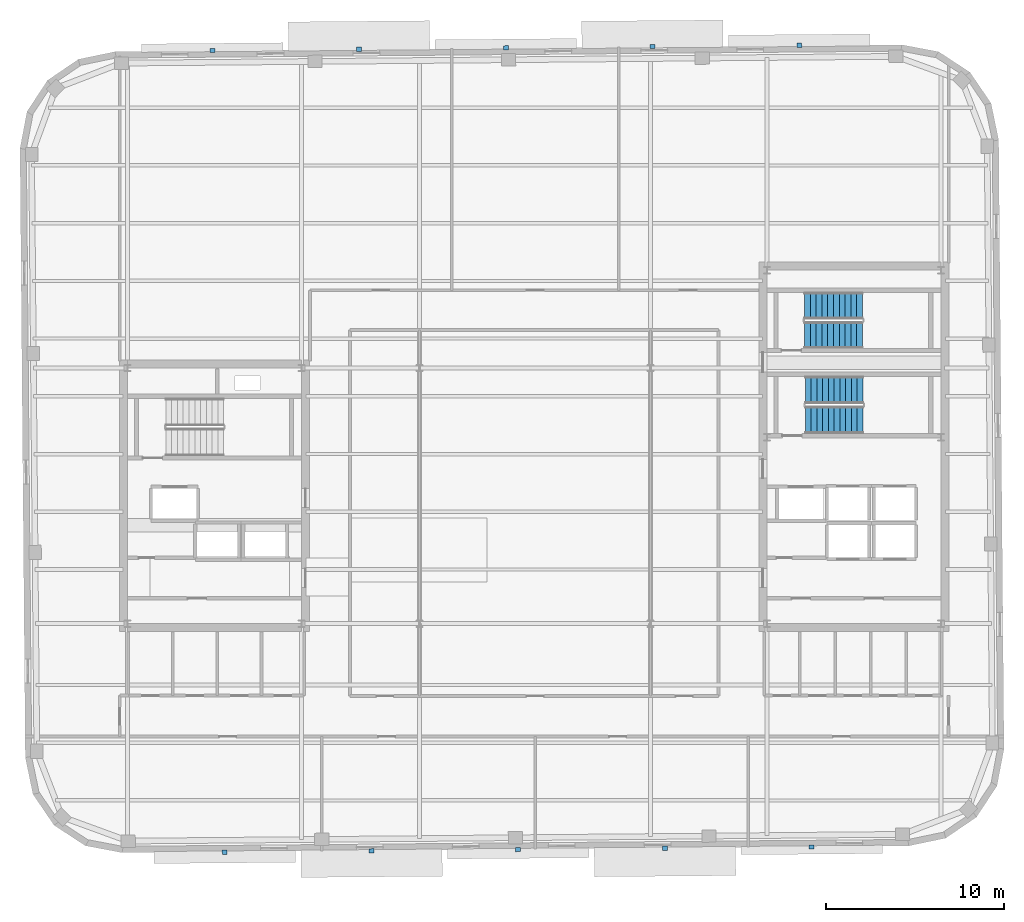
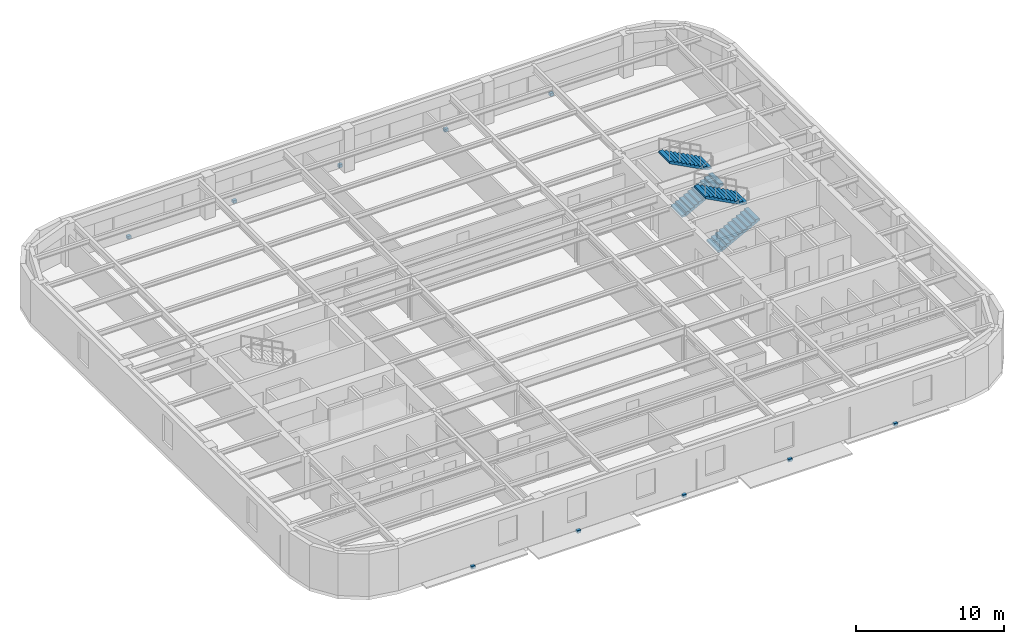
# One storey, part 10 of 13: 10 discrete accessories, 4 stair flights, 2 elements without a shape of their own.
"""IFC4 building model written with IfcOpenShell, lengths in metres."""

from ifc_helpers import new_model, si_unit, direction, frame, origin, origin_2d, place, context, subcontext, project, spatial, polyline, rectangle, outline, extrude, material, type_object, element, aggregate, save


model = new_model("IFC4")

# Units and contexts
model_context = context("Model", 3, precision=1e-05, world=origin(), true_north=direction((0.0, 1.0)))
body_context = subcontext(model_context, "Body", "Model", "MODEL_VIEW")
ifc_project = project(units=[si_unit("LENGTHUNIT", "METRE"), si_unit("AREAUNIT", "SQUARE_METRE"), si_unit("VOLUMEUNIT", "CUBIC_METRE"), si_unit("PLANEANGLEUNIT", "RADIAN"), si_unit("MASSUNIT", "GRAM", prefix="KILO")], contexts=[model_context])

# Site, building, storey
site_placement = place(None, origin())
site = spatial("IfcSite", under=ifc_project, at=site_placement, CompositionType="ELEMENT")
building_placement = place(site_placement, origin())
building = spatial("IfcBuilding", under=site, at=building_placement, Name="Kolvaren Arena Tower", CompositionType="ELEMENT")
storey_placement = place(building_placement, frame((0.0, 0.0, 278.64990234375)))
storey = spatial("IfcBuildingStorey", under=building, at=storey_placement, Name="L68", CompositionType="ELEMENT", Elevation=278.64990234375)

# Stair, stair flights
ifc_material_1 = material(Name="Concrete 45 MPa", Category="concrete")
stair_type_1 = type_object("IfcStairType", Name="STAIR-CORE-150", PredefinedType="HALF_TURN_STAIR", material=ifc_material_1)
stair_1_placement = place(storey_placement, origin())
stair_1 = element("IfcStair", 1, at=stair_1_placement, inside=storey, type_object=stair_type_1, Name="L68 ST-E2", PredefinedType="HALF_TURN_STAIR")
stair_flight_type_1 = type_object("IfcStairFlightType", Name="FLT-150", PredefinedType="STRAIGHT", material=ifc_material_1)
stair_flight_1_placement = place(storey_placement, frame((52.679931640625, 35.699951171875, 0.0), z_axis=(0.0, 0.0, 1.0), x_axis=(1.0, 0.0, 0.0)))
stair_flight_1 = element("IfcStairFlight", 2, at=stair_flight_1_placement, type_object=stair_flight_type_1, Name="ST-E2 flight 1", NumberOfRisers=11, NumberOfTreads=10, PredefinedType="STRAIGHT", RiserHeight=0.170454545, TreadLength=0.324, context=body_context, shape_type="SweptSolid", body=[
    extrude(outline(polyline([(0.0, 0.0), (0.0, 0.17041015625), (0.323974609375, 0.17041015625), (0.323974609375, 0.3408203125), (0.64794921875, 0.3408203125), (0.64794921875, 0.511474609375), (0.971923828125, 0.511474609375), (0.971923828125, 0.681884765625), (1.2958984375, 0.681884765625), (1.2958984375, 0.852294921875), (1.6201171875, 0.852294921875), (1.6201171875, 1.022705078125), (1.944091796875, 1.022705078125), (1.944091796875, 1.193115234375), (2.26806640625, 1.193115234375), (2.26806640625, 1.363525390625), (2.592041015625, 1.363525390625), (2.592041015625, 1.5341796875), (2.916015625, 1.5341796875), (2.916015625, 1.70458984375), (3.239990234375, 1.70458984375), (3.239990234375, 1.875), (3.239990234375, 1.53515625), (0.322021484375, 0.0), (0.0, 0.0)])), frame((0.0, 0.75, 0.0), z_axis=(0.0, -1.0, 0.0), x_axis=(1.0, 0.0, 0.0)), (0.0, 0.0, 1.0), 1.5),
])
stair_flight_2_placement = place(storey_placement, frame((55.919921875, 37.35009765625, 1.875), z_axis=(0.0, 0.0, 1.0), x_axis=(-1.0, 0.0, 0.0)))
stair_flight_2 = element("IfcStairFlight", 3, at=stair_flight_2_placement, type_object=stair_flight_type_1, Name="ST-E2 flight 2", NumberOfRisers=11, NumberOfTreads=10, PredefinedType="STRAIGHT", RiserHeight=0.170454545, TreadLength=0.324, context=body_context, shape_type="SweptSolid", body=[
    extrude(outline(polyline([(0.0, 0.0), (0.0, 0.17041015625), (0.323974609375, 0.17041015625), (0.323974609375, 0.3408203125), (0.64794921875, 0.3408203125), (0.64794921875, 0.511474609375), (0.971923828125, 0.511474609375), (0.971923828125, 0.681884765625), (1.2958984375, 0.681884765625), (1.2958984375, 0.852294921875), (1.6201171875, 0.852294921875), (1.6201171875, 1.022705078125), (1.944091796875, 1.022705078125), (1.944091796875, 1.193115234375), (2.26806640625, 1.193115234375), (2.26806640625, 1.363525390625), (2.592041015625, 1.363525390625), (2.592041015625, 1.5341796875), (2.916015625, 1.5341796875), (2.916015625, 1.70458984375), (3.239990234375, 1.70458984375), (3.239990234375, 1.875), (3.239990234375, 1.53515625), (0.322021484375, 0.0), (0.0, 0.0)])), frame((0.0, 0.75, 0.0), z_axis=(0.0, -1.0, 0.0), x_axis=(1.0, 0.0, 0.0)), (0.0, 0.0, 1.0), 1.5),
])
aggregate(stair_1, [stair_flight_1, stair_flight_2])

stair_type_2 = type_object("IfcStairType", Name="STAIR-CORE-165", PredefinedType="HALF_TURN_STAIR", material=ifc_material_1)
stair_2_placement = place(storey_placement, origin())
stair_2 = element("IfcStair", 4, at=stair_2_placement, inside=storey, type_object=stair_type_2, Name="L68 ST-E1", PredefinedType="HALF_TURN_STAIR")
stair_flight_type_2 = type_object("IfcStairFlightType", Name="FLT-165", PredefinedType="STRAIGHT", material=ifc_material_1)
stair_flight_3_placement = place(storey_placement, frame((52.719970703125, 30.919921875, 0.0), z_axis=(0.0, 0.0, 1.0), x_axis=(1.0, 0.0, 0.0)))
stair_flight_3 = element("IfcStairFlight", 5, at=stair_flight_3_placement, type_object=stair_flight_type_2, Name="ST-E1 flight 1", NumberOfRisers=11, NumberOfTreads=10, PredefinedType="STRAIGHT", RiserHeight=0.170454545, TreadLength=0.324, context=body_context, shape_type="SweptSolid", body=[
    extrude(outline(polyline([(0.0, 0.0), (0.0, 0.17041015625), (0.323974609375, 0.17041015625), (0.323974609375, 0.3408203125), (0.64794921875, 0.3408203125), (0.64794921875, 0.511474609375), (0.971923828125, 0.511474609375), (0.971923828125, 0.681884765625), (1.2958984375, 0.681884765625), (1.2958984375, 0.852294921875), (1.6201171875, 0.852294921875), (1.6201171875, 1.022705078125), (1.944091796875, 1.022705078125), (1.944091796875, 1.193115234375), (2.26806640625, 1.193115234375), (2.26806640625, 1.363525390625), (2.592041015625, 1.363525390625), (2.592041015625, 1.5341796875), (2.916015625, 1.5341796875), (2.916015625, 1.70458984375), (3.239990234375, 1.70458984375), (3.239990234375, 1.875), (3.239990234375, 1.53515625), (0.322021484375, 0.0), (0.0, 0.0)])), frame((0.0, 0.77001953125, 0.0), z_axis=(0.0, -1.0, 0.0), x_axis=(1.0, 0.0, 0.0)), (0.0, 0.0, 1.0), 1.5400390625),
])
stair_flight_4_placement = place(storey_placement, frame((55.9599609375, 32.610107421875, 1.875), z_axis=(0.0, 0.0, 1.0), x_axis=(-1.0, 0.0, 0.0)))
stair_flight_4 = element("IfcStairFlight", 6, at=stair_flight_4_placement, type_object=stair_flight_type_2, Name="ST-E1 flight 2", NumberOfRisers=11, NumberOfTreads=10, PredefinedType="STRAIGHT", RiserHeight=0.170454545, TreadLength=0.324, context=body_context, shape_type="SweptSolid", body=[
    extrude(outline(polyline([(0.0, 0.0), (0.0, 0.17041015625), (0.323974609375, 0.17041015625), (0.323974609375, 0.3408203125), (0.64794921875, 0.3408203125), (0.64794921875, 0.511474609375), (0.971923828125, 0.511474609375), (0.971923828125, 0.681884765625), (1.2958984375, 0.681884765625), (1.2958984375, 0.852294921875), (1.6201171875, 0.852294921875), (1.6201171875, 1.022705078125), (1.944091796875, 1.022705078125), (1.944091796875, 1.193115234375), (2.26806640625, 1.193115234375), (2.26806640625, 1.363525390625), (2.592041015625, 1.363525390625), (2.592041015625, 1.5341796875), (2.916015625, 1.5341796875), (2.916015625, 1.70458984375), (3.239990234375, 1.70458984375), (3.239990234375, 1.875), (3.239990234375, 1.53515625), (0.322021484375, 0.0), (0.0, 0.0)])), frame((0.0, 0.77001953125, 0.0), z_axis=(0.0, -1.0, 0.0), x_axis=(1.0, 0.0, 0.0)), (0.0, 0.0, 1.0), 1.5400390625),
])
aggregate(stair_2, [stair_flight_3, stair_flight_4])

# Discrete accessories
ifc_material_2 = material(Name="Stainless steel facade support bracket", Category="steel")
discrete_accessory_type = type_object("IfcDiscreteAccessoryType", Name="ACC-BRKT-1", PredefinedType="BRACKET", material=ifc_material_2)
for number, where, z_axis, x_axis, name in (
    (7, (19.333740234375, 51.7236328125, -0.1796875), (0.0, 0.0, 1.0), (0.999961923064, 0.008726535498, 0.0), "Sunshade Support Bracket (L68)"),
    (8, (27.593505859375, 51.795654296875, -0.1796875), (0.0, 0.0, 1.0), (0.999961923064, 0.008726535498, 0.0), "Sunshade Support Bracket (L68)"),
    (9, (35.85302734375, 51.867919921875, -0.1796875), (0.0, 0.0, 1.0), (0.999961923064, 0.008726535498, 0.0), "Sunshade Support Bracket (L68)"),
    (10, (44.11279296875, 51.93994140625, -0.1796875), (0.0, 0.0, 1.0), (0.999961923064, 0.008726535498, 0.0), "Sunshade Support Bracket (L68)"),
    (11, (52.372314453125, 52.011962890625, -0.1796875), (0.0, 0.0, 1.0), (0.999961923064, 0.008726535498, 0.0), "Sunshade Support Bracket (L68)"),
    (12, (53.06640625, 6.87646484375, -0.1796875), (0.0, 0.0, 1.0), (-0.999961923064, -0.008726535498, 0.0), "Sunshade Support Bracket (L68)"),
    (13, (44.806640625, 6.80419921875, -0.1796875), (0.0, 0.0, 1.0), (-0.999961923064, -0.008726535498, 0.0), "Sunshade Support Bracket (L68)"),
    (14, (36.546875, 6.732177734375, -0.1796875), (0.0, 0.0, 1.0), (-0.999961923064, -0.008726535498, 0.0), "Sunshade Support Bracket (L68)"),
    (15, (28.287109375, 6.66015625, -0.1796875), (0.0, 0.0, 1.0), (-0.999961923064, -0.008726535498, 0.0), "Sunshade Support Bracket (L68)"),
    (16, (20.027587890625, 6.587890625, -0.1796875), (0.0, 0.0, 1.0), (-0.999961923064, -0.008726535498, 0.0), "Sunshade Support Bracket (L68)"),
):
    element("IfcDiscreteAccessory", number, at=place(storey_placement, frame(where, z_axis=z_axis, x_axis=x_axis)), inside=storey, type_object=discrete_accessory_type, Name=name, PredefinedType="BRACKET", context=body_context, shape_type="SweptSolid", body=[
        extrude(rectangle(XDim=0.280029296875, YDim=0.239990234375, at=origin_2d()), origin(), (0.0, 0.0, 1.0), 0.239990234375),
    ])

save(model, "model.ifc")
